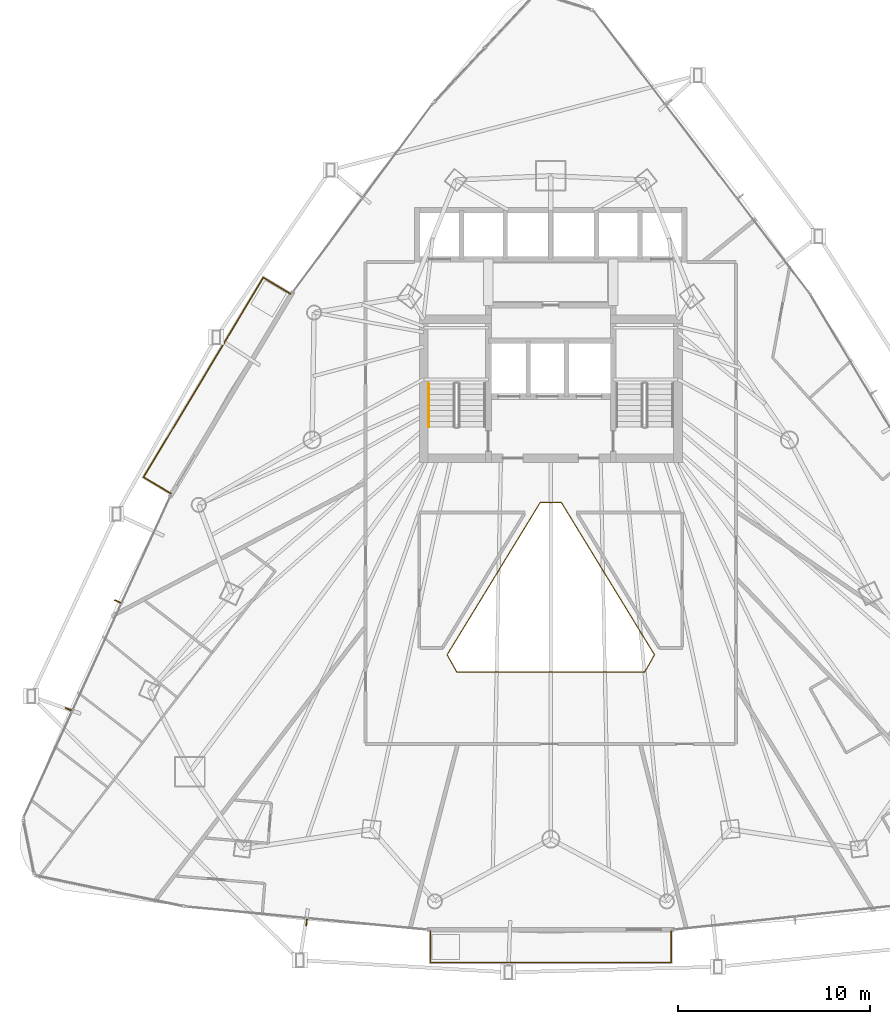
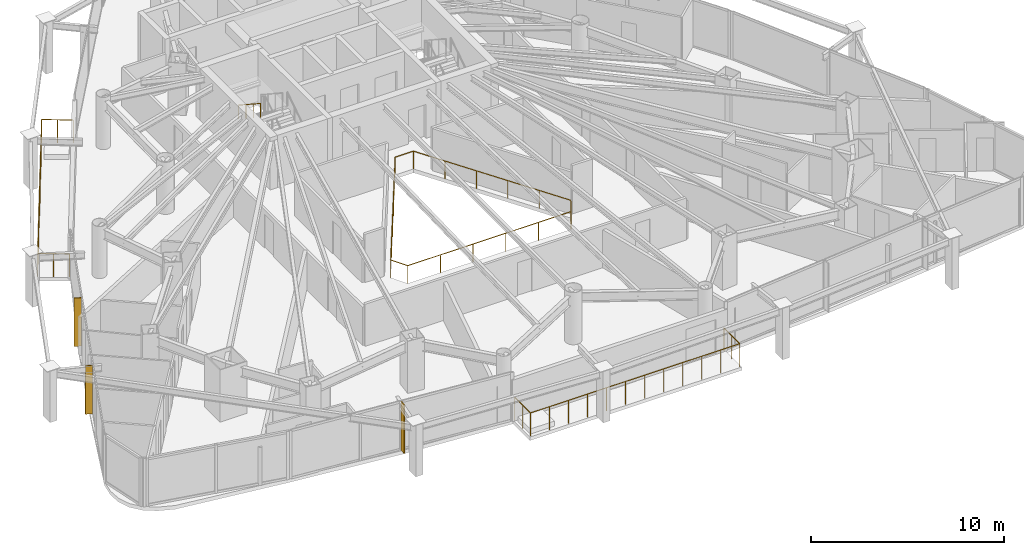
# One storey, part 32 of 34: 4 railings, 3 shading devices.
"""IFC4 building model written with IfcOpenShell, lengths in metres."""

from ifc_helpers import new_model, si_unit, direction, frame, origin, origin_2d, place, context, subcontext, project, spatial, rectangle, circle, extrude, material, layer, layer_set, type_object, element, save


model = new_model("IFC4")

# Units and contexts
model_context = context("Model", 3, precision=1e-05, world=origin(), true_north=direction((0.0, 1.0)))
body_context = subcontext(model_context, "Body", "Model", "MODEL_VIEW")
ifc_project = project(units=[si_unit("LENGTHUNIT", "METRE"), si_unit("AREAUNIT", "SQUARE_METRE"), si_unit("VOLUMEUNIT", "CUBIC_METRE"), si_unit("PLANEANGLEUNIT", "RADIAN"), si_unit("MASSUNIT", "GRAM", prefix="KILO")], contexts=[model_context])

# Site, building, storey
site_placement = place(None, origin())
site = spatial("IfcSite", under=ifc_project, at=site_placement, CompositionType="ELEMENT")
building_placement = place(site_placement, origin())
building = spatial("IfcBuilding", under=site, at=building_placement, Name="Orvanel Arch Residences", CompositionType="ELEMENT")
storey_placement = place(building_placement, frame((0.0, 0.0, 80.75)))
storey = spatial("IfcBuildingStorey", under=building, at=storey_placement, Name="L22", CompositionType="ELEMENT", Elevation=80.75)

# Shading devices
ifc_material_1 = material(Name="Bronze-anodised aluminium AA6063-T6", Category="aluminium")
ifc_layer = layer(ifc_material_1, 0.06005859375)
ifc_layer_set = layer_set([ifc_layer], Name="Bronze-anodised aluminium AA6063-T6")
shading_device_type = type_object("IfcShadingDeviceType", Name="FIN-BRZ-380", PredefinedType="USERDEFINED", material=ifc_layer_set)
for number, where, z_axis, x_axis, name in (
    (1, (10.443115234375, 19.219970703125, 0.0), (0.0, 0.0, 1.0), (-0.909961270877, 0.414693242656, 0.0), "L22 Anodised Bronze Mullion FIN 01"),
    (2, (7.882080078125, 13.612060546875, 0.0), (0.0, 0.0, 1.0), (-0.909961270877, 0.414693242656, 0.0), "L22 Anodised Bronze Mullion FIN 02"),
    (3, (20.283935546875, 2.508056640625, 0.0), (0.0, 0.0, 1.0), (-0.09584575252, -0.995396198367, 0.0), "L22 Anodised Bronze Mullion FIN 01"),
):
    element("IfcShadingDevice", number, at=place(storey_placement, frame(where, z_axis=z_axis, x_axis=x_axis)), inside=storey, type_object=shading_device_type, Name=name, ObjectType="FIN", PredefinedType="USERDEFINED", context=body_context, shape_type="SweptSolid", body=[
        extrude(rectangle(XDim=0.3798828125, YDim=0.06005859375, at=origin_2d()), origin(), (0.0, 0.0, 1.0), 3.06005859375),
    ])

# Railings
railing_type_1 = type_object("IfcRailingType", Name="RL-ATR-1150", PredefinedType="BALUSTRADE", material=ifc_material_1)
railing_1_placement = place(storey_placement, frame((33.547119140625, 24.3798828125, 0.0)))
element("IfcRailing", 4, at=railing_1_placement, inside=storey, type_object=railing_type_1, Name="L22 Atrium Void Protective Balustrade", PredefinedType="BALUSTRADE", context=body_context, shape_type="SweptSolid", body=[
    extrude(circle(Radius=0.02392578125, at=origin_2d()), frame((-0.00146484375, 0.0, 1.1259765625), z_axis=(-1.0, 0.0, 0.0), x_axis=(0.0, -1.0, 0.0)), (0.0, 0.0, 1.0), 1.09130859375),
    extrude(circle(Radius=0.02392578125, at=origin_2d()), frame((-1.094970703125, -0.001220703125, 1.1259765625), z_axis=(-0.521576412235, -0.853204574648, 0.0), x_axis=(0.853204574648, -0.521576412235, 0.0)), (0.0, 0.0, 1.0), 9.293701171875),
    extrude(circle(Radius=0.02392578125, at=origin_2d()), frame((-5.9423828125, -7.93310546875, 1.1259765625), z_axis=(0.488429405974, -0.872603412427, 0.0), x_axis=(0.872603412427, 0.488429405974, 0.0)), (0.0, 0.0, 1.0), 1.022705078125),
    extrude(circle(Radius=0.02392578125, at=origin_2d()), frame((-5.440673828125, -8.826904296875, 1.1259765625), z_axis=(1.0, 0.0, 0.0), x_axis=(0.0, 1.0, 0.0)), (0.0, 0.0, 1.0), 9.787109375),
    extrude(circle(Radius=0.02392578125, at=origin_2d()), frame((4.3486328125, -8.82568359375, 1.1259765625), z_axis=(0.488429405974, 0.872603412427, 0.0), x_axis=(-0.872603412427, 0.488429405974, 0.0)), (0.0, 0.0, 1.0), 1.022705078125),
    extrude(circle(Radius=0.02392578125, at=origin_2d()), frame((4.84814453125, -7.9306640625, 1.1259765625), z_axis=(-0.521576412235, 0.853204574648, 0.0), x_axis=(-0.853204574648, -0.521576412235, 0.0)), (0.0, 0.0, 1.0), 9.293701171875),
    extrude(circle(Radius=0.02099609375, at=origin_2d()), origin(), (0.0, 0.0, 1.0), 1.099853515625),
    extrude(circle(Radius=0.02099609375, at=origin_2d()), frame((-1.09423828125, 0.0, 0.0)), (0.0, 0.0, 1.0), 1.099853515625),
    extrude(circle(Radius=0.02099609375, at=origin_2d()), frame((-2.06396484375, -1.58642578125, 0.0)), (0.0, 0.0, 1.0), 1.099853515625),
    extrude(circle(Radius=0.02099609375, at=origin_2d()), frame((-3.03369140625, -3.1728515625, 0.0)), (0.0, 0.0, 1.0), 1.099853515625),
    extrude(circle(Radius=0.02099609375, at=origin_2d()), frame((-4.003662109375, -4.759033203125, 0.0)), (0.0, 0.0, 1.0), 1.099853515625),
    extrude(circle(Radius=0.02099609375, at=origin_2d()), frame((-4.973388671875, -6.345458984375, 0.0)), (0.0, 0.0, 1.0), 1.099853515625),
    extrude(circle(Radius=0.02099609375, at=origin_2d()), frame((-5.943115234375, -7.931884765625, 0.0)), (0.0, 0.0, 1.0), 1.099853515625),
    extrude(circle(Radius=0.02099609375, at=origin_2d()), frame((-5.442138671875, -8.826904296875, 0.0)), (0.0, 0.0, 1.0), 1.099853515625),
    extrude(circle(Radius=0.02099609375, at=origin_2d()), frame((-3.484130859375, -8.826904296875, 0.0)), (0.0, 0.0, 1.0), 1.099853515625),
    extrude(circle(Radius=0.02099609375, at=origin_2d()), frame((-1.526123046875, -8.826904296875, 0.0)), (0.0, 0.0, 1.0), 1.099853515625),
    extrude(circle(Radius=0.02099609375, at=origin_2d()), frame((0.431884765625, -8.826904296875, 0.0)), (0.0, 0.0, 1.0), 1.099853515625),
    extrude(circle(Radius=0.02099609375, at=origin_2d()), frame((2.389892578125, -8.826904296875, 0.0)), (0.0, 0.0, 1.0), 1.099853515625),
    extrude(circle(Radius=0.02099609375, at=origin_2d()), frame((4.347900390625, -8.826904296875, 0.0)), (0.0, 0.0, 1.0), 1.099853515625),
    extrude(circle(Radius=0.02099609375, at=origin_2d()), frame((4.848876953125, -7.931884765625, 0.0)), (0.0, 0.0, 1.0), 1.099853515625),
    extrude(circle(Radius=0.02099609375, at=origin_2d()), frame((3.879150390625, -6.345458984375, 0.0)), (0.0, 0.0, 1.0), 1.099853515625),
    extrude(circle(Radius=0.02099609375, at=origin_2d()), frame((2.909423828125, -4.759033203125, 0.0)), (0.0, 0.0, 1.0), 1.099853515625),
    extrude(circle(Radius=0.02099609375, at=origin_2d()), frame((1.939453125, -3.1728515625, 0.0)), (0.0, 0.0, 1.0), 1.099853515625),
    extrude(circle(Radius=0.02099609375, at=origin_2d()), frame((0.9697265625, -1.58642578125, 0.0)), (0.0, 0.0, 1.0), 1.099853515625),
])
railing_type_2 = type_object("IfcRailingType", Name="RL-BAL-1480", PredefinedType="BALUSTRADE", material=ifc_material_1)
railing_2_placement = place(storey_placement, frame((19.43310546875, 35.248046875, 0.0)))
element("IfcRailing", 5, at=railing_2_placement, inside=storey, type_object=railing_type_2, Name="L22 Balcony Perimeter Guardrail Face 1", PredefinedType="BALUSTRADE", context=body_context, shape_type="SweptSolid", body=[
    extrude(circle(Radius=0.02392578125, at=origin_2d()), frame((-0.001220703125, 0.000732421875, 1.4560546875), z_axis=(-0.857387817543, 0.514670895164, 0.0), x_axis=(-0.514670895164, -0.857387817543, 0.0)), (0.0, 0.0, 1.0), 1.636962890625),
    extrude(circle(Radius=0.02392578125, at=origin_2d()), frame((-1.40673828125, 0.8427734375, 1.4560546875), z_axis=(-0.514392066285, -0.857555130673, 0.0), x_axis=(0.857555130673, -0.514392066285, 0.0)), (0.0, 0.0, 1.0), 12.116455078125),
    extrude(circle(Radius=0.02392578125, at=origin_2d()), frame((-7.638916015625, -9.5498046875, 1.4560546875), z_axis=(0.857545439568, -0.514408222208, 0.0), x_axis=(0.514408222208, 0.857545439568, 0.0)), (0.0, 0.0, 1.0), 1.6376953125),
    extrude(circle(Radius=0.02099609375, at=origin_2d()), origin(), (0.0, 0.0, 1.0), 1.429931640625),
    extrude(circle(Radius=0.02099609375, at=origin_2d()), frame((-0.703125, 0.421875, 0.0)), (0.0, 0.0, 1.0), 1.429931640625),
    extrude(circle(Radius=0.02099609375, at=origin_2d()), frame((-1.406005859375, 0.843994140625, 0.0)), (0.0, 0.0, 1.0), 1.429931640625),
    extrude(circle(Radius=0.02099609375, at=origin_2d()), frame((-1.97265625, -0.100830078125, 0.0)), (0.0, 0.0, 1.0), 1.429931640625),
    extrude(circle(Radius=0.02099609375, at=origin_2d()), frame((-2.53955078125, -1.045654296875, 0.0)), (0.0, 0.0, 1.0), 1.429931640625),
    extrude(circle(Radius=0.02099609375, at=origin_2d()), frame((-3.106201171875, -1.990478515625, 0.0)), (0.0, 0.0, 1.0), 1.429931640625),
    extrude(circle(Radius=0.02099609375, at=origin_2d()), frame((-3.6728515625, -2.935302734375, 0.0)), (0.0, 0.0, 1.0), 1.429931640625),
    extrude(circle(Radius=0.02099609375, at=origin_2d()), frame((-4.23974609375, -3.880126953125, 0.0)), (0.0, 0.0, 1.0), 1.429931640625),
    extrude(circle(Radius=0.02099609375, at=origin_2d()), frame((-4.806396484375, -4.824951171875, 0.0)), (0.0, 0.0, 1.0), 1.429931640625),
    extrude(circle(Radius=0.02099609375, at=origin_2d()), frame((-5.373291015625, -5.769775390625, 0.0)), (0.0, 0.0, 1.0), 1.429931640625),
    extrude(circle(Radius=0.02099609375, at=origin_2d()), frame((-5.93994140625, -6.714599609375, 0.0)), (0.0, 0.0, 1.0), 1.429931640625),
    extrude(circle(Radius=0.02099609375, at=origin_2d()), frame((-6.506591796875, -7.659423828125, 0.0)), (0.0, 0.0, 1.0), 1.429931640625),
    extrude(circle(Radius=0.02099609375, at=origin_2d()), frame((-7.073486328125, -8.604248046875, 0.0)), (0.0, 0.0, 1.0), 1.429931640625),
    extrude(circle(Radius=0.02099609375, at=origin_2d()), frame((-7.64013671875, -9.549072265625, 0.0)), (0.0, 0.0, 1.0), 1.429931640625),
    extrude(circle(Radius=0.02099609375, at=origin_2d()), frame((-6.9365234375, -9.97119140625, 0.0)), (0.0, 0.0, 1.0), 1.429931640625),
    extrude(circle(Radius=0.02099609375, at=origin_2d()), frame((-6.233154296875, -10.39306640625, 0.0)), (0.0, 0.0, 1.0), 1.429931640625),
])
railing_3_placement = place(storey_placement, frame((26.73193359375, 2.05810546875, 0.0)))
element("IfcRailing", 6, at=railing_3_placement, inside=storey, type_object=railing_type_2, Name="L22 Balcony Perimeter Guardrail Face 2", PredefinedType="BALUSTRADE", context=body_context, shape_type="SweptSolid", body=[
    extrude(circle(Radius=0.02392578125, at=origin_2d()), frame((0.0, -0.00146484375, 1.4560546875), z_axis=(0.0, -1.0, 0.0), x_axis=(1.0, 0.0, 0.0)), (0.0, 0.0, 1.0), 1.63720703125),
    extrude(circle(Radius=0.02392578125, at=origin_2d()), frame((0.00146484375, -1.64013671875, 1.4560546875), z_axis=(1.0, 0.0, 0.0), x_axis=(0.0, 1.0, 0.0)), (0.0, 0.0, 1.0), 12.5322265625),
    extrude(circle(Radius=0.02392578125, at=origin_2d()), frame((12.53515625, -1.638671875, 1.4560546875), z_axis=(0.0, 1.0, 0.0), x_axis=(-1.0, 0.0, 0.0)), (0.0, 0.0, 1.0), 1.63720703125),
    extrude(circle(Radius=0.02099609375, at=origin_2d()), origin(), (0.0, 0.0, 1.0), 1.429931640625),
    extrude(circle(Radius=0.02099609375, at=origin_2d()), frame((0.0, -0.820068359375, 0.0)), (0.0, 0.0, 1.0), 1.429931640625),
    extrude(circle(Radius=0.02099609375, at=origin_2d()), frame((0.0, -1.64013671875, 0.0)), (0.0, 0.0, 1.0), 1.429931640625),
    extrude(circle(Radius=0.02099609375, at=origin_2d()), frame((1.1396484375, -1.64013671875, 0.0)), (0.0, 0.0, 1.0), 1.429931640625),
    extrude(circle(Radius=0.02099609375, at=origin_2d()), frame((2.279052734375, -1.64013671875, 0.0)), (0.0, 0.0, 1.0), 1.429931640625),
    extrude(circle(Radius=0.02099609375, at=origin_2d()), frame((3.418701171875, -1.64013671875, 0.0)), (0.0, 0.0, 1.0), 1.429931640625),
    extrude(circle(Radius=0.02099609375, at=origin_2d()), frame((4.558349609375, -1.64013671875, 0.0)), (0.0, 0.0, 1.0), 1.429931640625),
    extrude(circle(Radius=0.02099609375, at=origin_2d()), frame((5.69775390625, -1.64013671875, 0.0)), (0.0, 0.0, 1.0), 1.429931640625),
    extrude(circle(Radius=0.02099609375, at=origin_2d()), frame((6.83740234375, -1.64013671875, 0.0)), (0.0, 0.0, 1.0), 1.429931640625),
    extrude(circle(Radius=0.02099609375, at=origin_2d()), frame((7.976806640625, -1.64013671875, 0.0)), (0.0, 0.0, 1.0), 1.429931640625),
    extrude(circle(Radius=0.02099609375, at=origin_2d()), frame((9.116455078125, -1.64013671875, 0.0)), (0.0, 0.0, 1.0), 1.429931640625),
    extrude(circle(Radius=0.02099609375, at=origin_2d()), frame((10.256103515625, -1.64013671875, 0.0)), (0.0, 0.0, 1.0), 1.429931640625),
    extrude(circle(Radius=0.02099609375, at=origin_2d()), frame((11.3955078125, -1.64013671875, 0.0)), (0.0, 0.0, 1.0), 1.429931640625),
    extrude(circle(Radius=0.02099609375, at=origin_2d()), frame((12.53515625, -1.64013671875, 0.0)), (0.0, 0.0, 1.0), 1.429931640625),
    extrude(circle(Radius=0.02099609375, at=origin_2d()), frame((12.53515625, -0.820068359375, 0.0)), (0.0, 0.0, 1.0), 1.429931640625),
    extrude(circle(Radius=0.02099609375, at=origin_2d()), frame((12.53515625, 0.0, 0.0)), (0.0, 0.0, 1.0), 1.429931640625),
])
ifc_material_2 = material(Name="Structural steel AS/NZS 1163 C350L0 (Grade 350)", Category="steel")
railing_type_3 = type_object("IfcRailingType", Name="RL-STAIR-HAND", PredefinedType="HANDRAIL", material=ifc_material_2)
railing_4_placement = place(storey_placement, frame((26.64990234375, 30.56005859375, 1.833251953125)))
element("IfcRailing", 7, at=railing_4_placement, inside=storey, type_object=railing_type_3, Name="L22 ST-1 stair handrail 2", PredefinedType="HANDRAIL", context=body_context, shape_type="SweptSolid", body=[
    extrude(circle(Radius=0.02392578125, at=origin_2d()), frame((0.0, -0.001220703125, 0.876708984375), z_axis=(0.0, -0.836595146698, 0.547821650285), x_axis=(1.0, 0.0, 0.0)), (0.0, 0.0, 1.0), 2.674560546875),
    extrude(circle(Radius=0.02099609375, at=origin_2d()), origin(), (0.0, 0.0, 1.0), 0.849853515625),
    extrude(circle(Radius=0.02099609375, at=origin_2d()), frame((0.0, -0.74658203125, 0.489013671875)), (0.0, 0.0, 1.0), 0.849853515625),
    extrude(circle(Radius=0.02099609375, at=origin_2d()), frame((0.0, -1.493408203125, 0.977783203125)), (0.0, 0.0, 1.0), 0.849853515625),
    extrude(circle(Radius=0.02099609375, at=origin_2d()), frame((0.0, -2.239990234375, 1.466796875)), (0.0, 0.0, 1.0), 0.849853515625),
])

save(model, "model.ifc")
